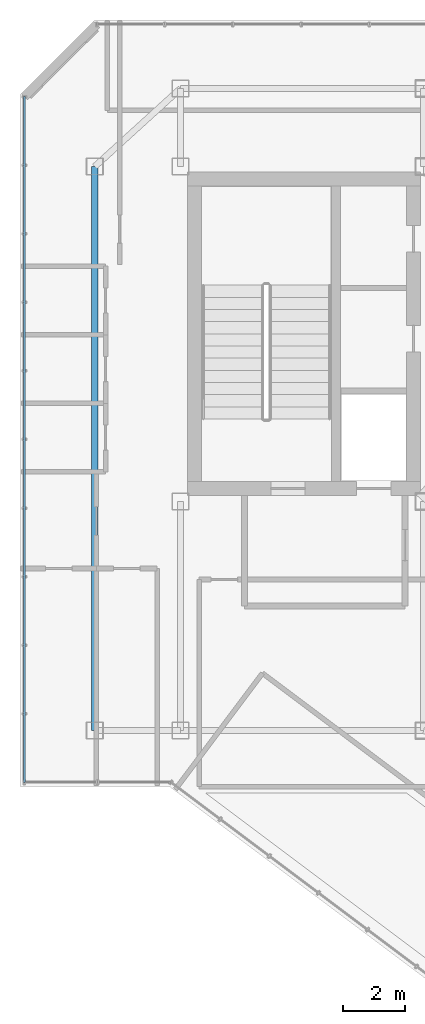
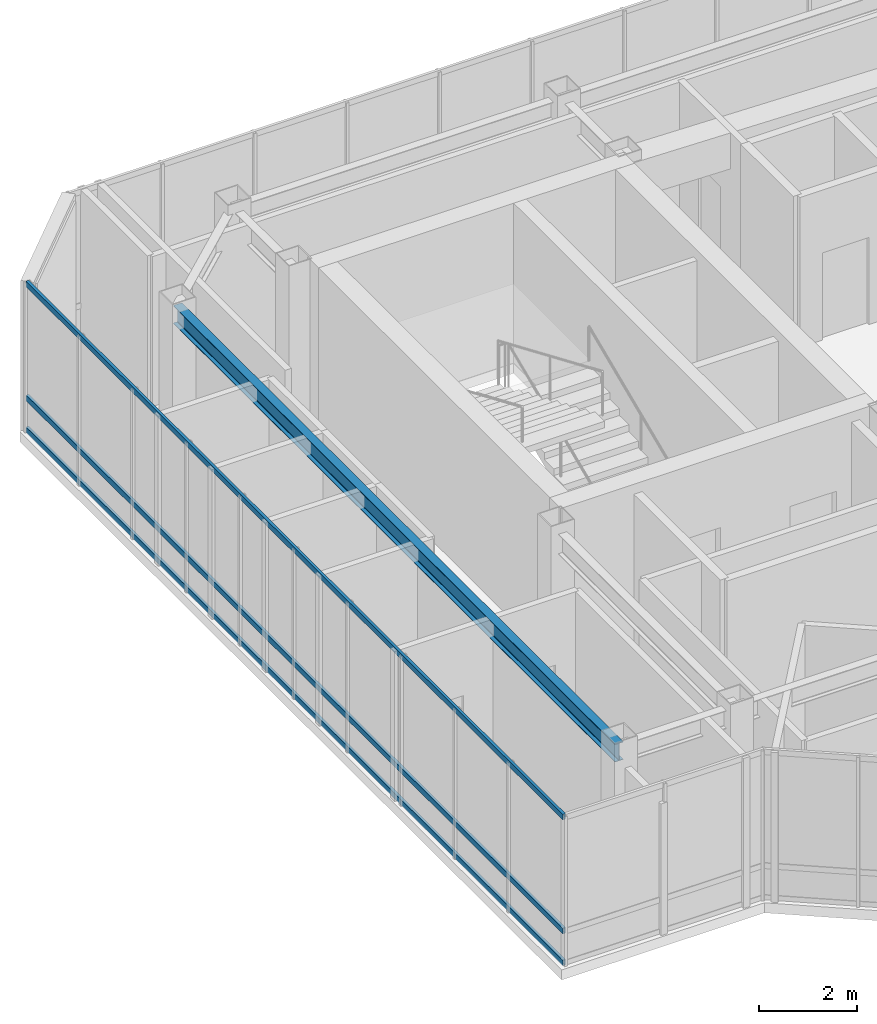
# One storey, part 6 of 23: 3 members, 1 beam, 1 element without a shape of its own.
"""IFC4 building model written with IfcOpenShell, lengths in metres."""

import ifcopenshell
import ifcopenshell.guid

model = None  # the IFC model being written
_history = None  # IfcOwnerHistory: only IFC2X3 demands one
_inside = {}  # id of a spatial element -> (the spatial element, [elements in it])
_under = {}  # id of a project, library or spatial element -> (it, [spatial elements below it])
_declared = {}  # id of a project -> (the project, [libraries it declares])
_typed = {}  # id of a type object -> (the type object, [elements of that type])
_made_of = {}  # id of a material, layer set ... -> (it, [elements and type objects made of it])


def new_model(schema):
    """Start an empty IFC model of exactly this schema.

    Asked for "IFC4X3", IfcOpenShell would pick the latest addendum, in which some entities
    have other attributes; the version numbers below select the first issue.
    IFC2X3 requires an IfcOwnerHistory on every rooted entity: one is made here for all.
    """
    global model, _history
    if schema == "IFC4X3":
        model = ifcopenshell.file(schema_version=(4, 3, 0, 0))
    else:
        model = ifcopenshell.file(schema=schema)
    _inside.clear()
    _under.clear()
    _declared.clear()
    _typed.clear()
    _made_of.clear()
    _history = None
    if model.schema == "IFC2X3":
        org = make("IfcOrganization", Name="unknown")
        user = make(
            "IfcPersonAndOrganization",
            ThePerson=make("IfcPerson", FamilyName="unknown"),
            TheOrganization=org,
        )
        app = make(
            "IfcApplication",
            ApplicationDeveloper=org,
            Version="unknown",
            ApplicationFullName="unknown",
            ApplicationIdentifier="unknown",
        )
        _history = make(
            "IfcOwnerHistory",
            OwningUser=user,
            OwningApplication=app,
            ChangeAction="ADDED",
            CreationDate=0,
        )
    return model


def make(cls, **values):
    """One entity of the class cls with the attributes given. An attribute that is None is left unset."""
    return model.create_entity(
        cls, **{name: value for name, value in values.items() if value is not None}
    )


def rooted(cls, **values):
    """An entity with a GlobalId (a new one), such as an element, a storey or a relation."""
    return make(cls, GlobalId=ifcopenshell.guid.new(), OwnerHistory=_history, **values)


def si_unit(unit_type, name, prefix=None):
    """IfcSIUnit, for example si_unit("LENGTHUNIT", "METRE", prefix="MILLI")."""
    return make("IfcSIUnit", UnitType=unit_type, Prefix=prefix, Name=name)


def assignment(units):
    """IfcUnitAssignment: the units of a project."""
    return None if units is None else make("IfcUnitAssignment", Units=units)


def point(xyz):
    """IfcCartesianPoint."""
    return None if xyz is None else make("IfcCartesianPoint", Coordinates=xyz)


def direction(xyz):
    """IfcDirection."""
    return None if xyz is None else make("IfcDirection", DirectionRatios=xyz)


def frame(location, z_axis=None, x_axis=None):
    """IfcAxis2Placement3D, a coordinate frame: its origin and axes. An axis left out is left unset."""
    return make(
        "IfcAxis2Placement3D",
        Location=point(location),
        Axis=direction(z_axis),
        RefDirection=direction(x_axis),
    )


def frame_2d(location, x_axis=None):
    """IfcAxis2Placement2D, a coordinate frame in the plane: its origin and x axis."""
    return make(
        "IfcAxis2Placement2D", Location=point(location), RefDirection=direction(x_axis)
    )


def origin():
    """The frame at (0, 0, 0) with its axes left unset."""
    return frame((0.0, 0.0, 0.0))


def origin_2d():
    """The frame at (0, 0) in the plane with its x axis left unset."""
    return frame_2d((0.0, 0.0))


def place(relative_to, where):
    """IfcLocalPlacement: puts the frame where relative to a parent placement (None: the world)."""
    return make(
        "IfcLocalPlacement", PlacementRelTo=relative_to, RelativePlacement=where
    )


def context(
    kind, dimensions, precision=None, world=None, true_north=None, identifier=None
):
    """IfcGeometricRepresentationContext, for example the 3D "Model" context."""
    return make(
        "IfcGeometricRepresentationContext",
        ContextIdentifier=identifier,
        ContextType=kind,
        CoordinateSpaceDimension=dimensions,
        Precision=precision,
        WorldCoordinateSystem=world,
        TrueNorth=true_north,
    )


def subcontext(parent, identifier, kind, view, scale=None):
    """IfcGeometricRepresentationSubContext, for example "Body" below "Model"."""
    return make(
        "IfcGeometricRepresentationSubContext",
        ContextIdentifier=identifier,
        ContextType=kind,
        ParentContext=parent,
        TargetScale=scale,
        TargetView=view,
    )


def project(units=None, contexts=None):
    """IfcProject with its units and contexts."""
    return rooted(
        "IfcProject",
        Name="project",
        RepresentationContexts=contexts,
        UnitsInContext=assignment(units),
    )


def spatial(cls, under=None, at=None, **own):
    """A site, building, storey or space (cls), placed at a placement, below another one or the project."""
    s = rooted(cls, ObjectPlacement=at, **own)
    if under is not None:
        _under.setdefault(under.id(), (under, []))[1].append(s)
    return s


def profile(cls, at=None, kind="AREA", **sizes):
    """A parametric profile (cls). Its sizes go by their IFC names, for example OverallWidth=200.0."""
    return make(cls, ProfileType=kind, Position=at, **sizes)


def hollow_rectangle(**sizes):
    """IfcRectangleHollowProfileDef."""
    return profile("IfcRectangleHollowProfileDef", **sizes)


def i_section(**sizes):
    """IfcIShapeProfileDef."""
    return profile("IfcIShapeProfileDef", **sizes)


def extrude(swept, where, along, depth):
    """IfcExtrudedAreaSolid: the profile swept, set in the frame where, extruded along a direction by depth."""
    return make(
        "IfcExtrudedAreaSolid",
        SweptArea=swept,
        Position=where,
        ExtrudedDirection=direction(along),
        Depth=depth,
    )


def shape(context_of_items, identifier, shape_type, items):
    """IfcShapeRepresentation: the items that make up one representation, for example the "Body"."""
    return make(
        "IfcShapeRepresentation",
        ContextOfItems=context_of_items,
        RepresentationIdentifier=identifier,
        RepresentationType=shape_type,
        Items=items,
    )


def material(Name=None, Category=None):
    """IfcMaterial."""
    return make("IfcMaterial", Name=Name, Category=Category)


def layer(
    of_material, thickness, ventilated=None, Name=None, Category=None, Priority=None
):
    """IfcMaterialLayer: one layer of a wall or slab, of a material (None: an air gap)."""
    return make(
        "IfcMaterialLayer",
        Material=of_material,
        LayerThickness=thickness,
        IsVentilated=ventilated,
        Name=Name,
        Category=Category,
        Priority=Priority,
    )


def layer_set(layers, Name=None):
    """IfcMaterialLayerSet."""
    return make("IfcMaterialLayerSet", MaterialLayers=layers, LayerSetName=Name)


def material_profile(
    of_material, cross_section, Name=None, Category=None, Priority=None
):
    """IfcMaterialProfile: a cross section and its material."""
    return make(
        "IfcMaterialProfile",
        Name=Name,
        Material=of_material,
        Profile=cross_section,
        Priority=Priority,
        Category=Category,
    )


def profile_set(profiles, Name=None, composite=None):
    """IfcMaterialProfileSet."""
    return make(
        "IfcMaterialProfileSet",
        Name=Name,
        MaterialProfiles=profiles,
        CompositeProfile=composite,
    )


def made_of(thing, what):
    """Note that an element or type object is made of a material, layer set ...; save() writes the relation."""
    if what is not None:
        _made_of.setdefault(what.id(), (what, []))[1].append(thing)
    return thing


def type_object(cls, material=None, **own):
    """A type object (cls), such as IfcWallType, which elements share."""
    return made_of(rooted(cls, **own), material)


def element(
    cls,
    number,
    at=None,
    inside=None,
    cuts=None,
    type_object=None,
    material=None,
    context=None,
    identifier="Body",
    shape_type=None,
    held_by="IfcProductDefinitionShape",
    body=None,
    shapes=None,
    **own,
):
    """One element of the class cls, such as IfcWall. Its Tag is "e" and its number.

    at: its placement. inside: the storey or other place that contains it. cuts: it is an
    opening in that element (IfcRelVoidsElement). A single representation is given by context,
    identifier, shape_type and body (its items); several are given by shapes. held_by: the class
    of the entity that holds the representations. save() writes the other relations.
    """
    e = rooted(cls, Tag="e%d" % number, ObjectPlacement=at, **own)
    if body is not None:
        shapes = [shape(context, identifier, shape_type, body)]
    if shapes is not None:
        e.Representation = make(held_by, Representations=shapes)
    if inside is not None:
        _inside.setdefault(inside.id(), (inside, []))[1].append(e)
    if cuts is not None:
        rooted(
            "IfcRelVoidsElement", RelatingBuildingElement=cuts, RelatedOpeningElement=e
        )
    if type_object is not None:
        _typed.setdefault(type_object.id(), (type_object, []))[1].append(e)
    return made_of(e, material)


def aggregate(whole, parts):
    """IfcRelAggregates: a whole, such as a stair, and the parts it consists of."""
    return rooted("IfcRelAggregates", RelatingObject=whole, RelatedObjects=parts)


def save(model, path):
    """Write the relations noted so far, then the file.

    IfcRelAggregates (storeys below a building ...), IfcRelContainedInSpatialStructure (elements
    in a storey), IfcRelDefinesByType, IfcRelAssociatesMaterial and IfcRelDeclares: one each for
    every whole, place, type object, material and project.
    """
    for whole, parts in _under.values():
        aggregate(whole, parts)
    for where, things in _inside.values():
        rooted(
            "IfcRelContainedInSpatialStructure",
            RelatedElements=things,
            RelatingStructure=where,
        )
    for kind, things in _typed.values():
        rooted("IfcRelDefinesByType", RelatedObjects=things, RelatingType=kind)
    for what, things in _made_of.values():
        rooted("IfcRelAssociatesMaterial", RelatedObjects=things, RelatingMaterial=what)
    for by, libraries in _declared.values():
        rooted("IfcRelDeclares", RelatingContext=by, RelatedDefinitions=libraries)
    model.write(path)


model = new_model("IFC4")

# Units and contexts
model_context = context("Model", 3, precision=1e-05, world=origin(), true_north=direction((0.0, 1.0)))
body_context = subcontext(model_context, "Body", "Model", "MODEL_VIEW")
ifc_project = project(units=[si_unit("LENGTHUNIT", "METRE"), si_unit("AREAUNIT", "SQUARE_METRE"), si_unit("VOLUMEUNIT", "CUBIC_METRE"), si_unit("PLANEANGLEUNIT", "RADIAN"), si_unit("MASSUNIT", "GRAM", prefix="KILO")], contexts=[model_context])

# Site, building, storey
site_placement = place(None, origin())
site = spatial("IfcSite", under=ifc_project, at=site_placement, CompositionType="ELEMENT")
building_placement = place(site_placement, origin())
building = spatial("IfcBuilding", under=site, at=building_placement, Name="Hatsunagi Terrace Concourse", CompositionType="ELEMENT")
storey_placement = place(building_placement, frame((0.0, 0.0, 281.949951171875)))
storey = spatial("IfcBuildingStorey", under=building, at=storey_placement, Name="L74", CompositionType="ELEMENT", Elevation=281.949951171875)

# Curtain wall, members
ifc_material_1 = material(Name="Anodised Aluminium Alloy 6063-T5", Category="aluminium")
ifc_layer = layer(ifc_material_1, 0.199951171875)
ifc_layer_set = layer_set([ifc_layer], Name="CrownWintergarden_CW06")
curtain_wall_type = type_object("IfcCurtainWallType", Name="CrownWintergarden_CW06", PredefinedType="NOTDEFINED", material=ifc_layer_set)
curtain_wall_placement = place(storey_placement, origin())
curtain_wall = element("IfcCurtainWall", 1, at=curtain_wall_placement, inside=storey, type_object=curtain_wall_type, Name="Unitised Curtain Wall CW-06 CW-L74-07", PredefinedType="NOTDEFINED")
ifc_material_2 = material(Name="Anodised Aluminium Alloy 6063-T5", Category="aluminium")
ifc_material_profile_1 = material_profile(ifc_material_2, hollow_rectangle(XDim=0.06494140625, YDim=0.139892578125, WallThickness=0.00390625, at=origin_2d()), Name="ALU-TRN-140x65x4")
ifc_profile_set_1 = profile_set([ifc_material_profile_1], Name="Anodised Aluminium Alloy 6063-T5")
member_type = type_object("IfcMemberType", Name="CurtainWallTransom_140x65", PredefinedType="USERDEFINED", material=ifc_profile_set_1)
member_1_placement = place(storey_placement, frame((20.5400390625, 23.5400390625, 0.050048828125), z_axis=(0.0, 1.0, 0.0), x_axis=(-1.0, 0.0, 0.0)))
member_1 = element("IfcMember", 2, at=member_1_placement, type_object=member_type, Name="Curtain Wall Transom TRN-02", ObjectType="TRANSOM", PredefinedType="USERDEFINED", context=body_context, shape_type="SweptSolid", body=[
    extrude(hollow_rectangle(XDim=0.06494140625, YDim=0.139892578125, WallThickness=0.00390625, at=origin_2d()), origin(), (0.0, 0.0, 1.0), 22.001953125),
])
member_2_placement = place(storey_placement, frame((20.5400390625, 23.5400390625, 0.85009765625), z_axis=(0.0, 1.0, 0.0), x_axis=(-1.0, 0.0, 0.0)))
member_2 = element("IfcMember", 3, at=member_2_placement, type_object=member_type, Name="Curtain Wall Transom TRN-02", ObjectType="TRANSOM", PredefinedType="USERDEFINED", context=body_context, shape_type="SweptSolid", body=[
    extrude(hollow_rectangle(XDim=0.06494140625, YDim=0.139892578125, WallThickness=0.00390625, at=origin_2d()), origin(), (0.0, 0.0, 1.0), 22.001953125),
])
member_3_placement = place(storey_placement, frame((20.5400390625, 23.5400390625, 3.699951171875), z_axis=(0.0, 1.0, 0.0), x_axis=(-1.0, 0.0, 0.0)))
member_3 = element("IfcMember", 4, at=member_3_placement, type_object=member_type, Name="Curtain Wall Transom TRN-02", ObjectType="TRANSOM", PredefinedType="USERDEFINED", context=body_context, shape_type="SweptSolid", body=[
    extrude(hollow_rectangle(XDim=0.06494140625, YDim=0.139892578125, WallThickness=0.00390625, at=origin_2d()), origin(), (0.0, 0.0, 1.0), 22.001953125),
])
aggregate(curtain_wall, [member_1, member_2, member_3])

# Beam
ifc_material_3 = material(Name="Steel SN490B", Category="steel")
ifc_material_profile_2 = material_profile(ifc_material_3, i_section(OverallWidth=0.199951171875, OverallDepth=0.449951171875, WebThickness=0.009033203125, FlangeThickness=0.013916015625, FilletRadius=0.01611328125, at=origin_2d()), Name="H-450x200x9x14")
ifc_profile_set_2 = profile_set([ifc_material_profile_2], Name="Steel SN490B")
beam_type = type_object("IfcBeamType", Name="PerimeterSpandrel_H_450x200", PredefinedType="SPANDREL", material=ifc_profile_set_2)
beam_placement = place(storey_placement, frame((22.800048828125, 25.199951171875, 3.525146484375), z_axis=(0.0, 1.0, 0.0), x_axis=(-1.0, 0.0, 0.0)))
element("IfcBeam", 5, at=beam_placement, inside=storey, type_object=beam_type, Name="Beam SP-02 BM-L74-CWNS", PredefinedType="SPANDREL", context=body_context, shape_type="SweptSolid", body=[
    extrude(i_section(OverallWidth=0.199951171875, OverallDepth=0.449951171875, WebThickness=0.009033203125, FlangeThickness=0.013916015625, FilletRadius=0.01611328125, at=origin_2d()), origin(), (0.0, 0.0, 1.0), 18.10009765625),
])

save(model, "model.ifc")
